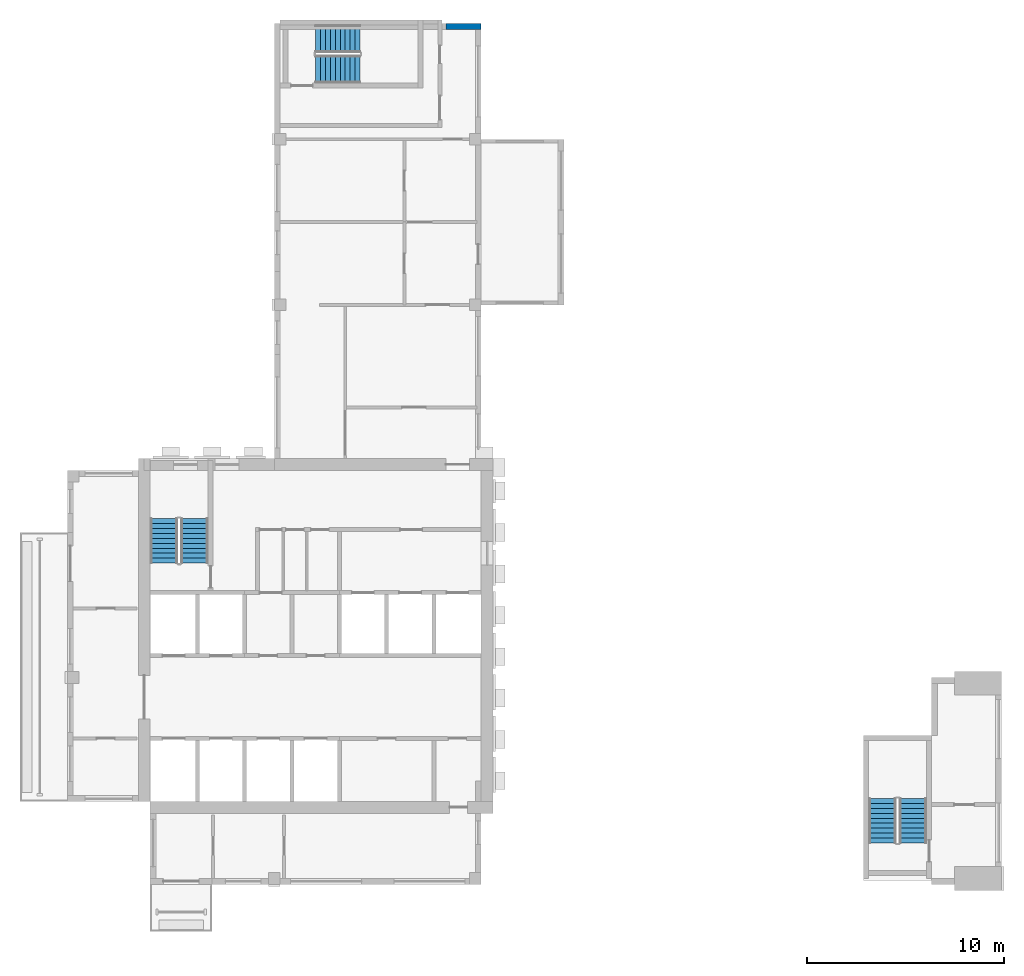
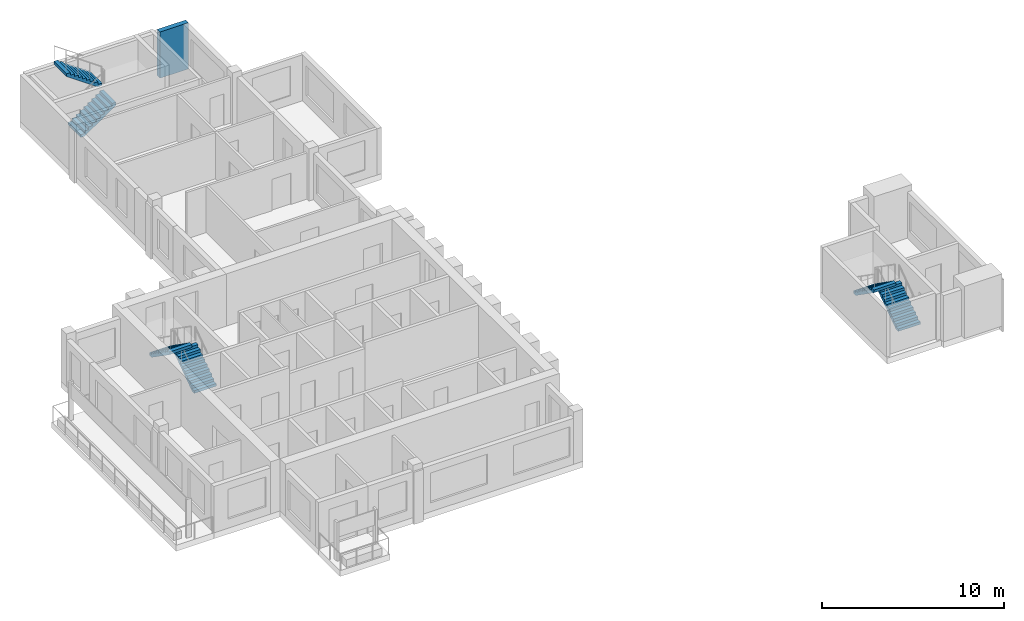
# One storey, part 5 of 9: 6 stair flights, 1 wall, 3 elements without a shape of their own.
"""IFC4 building model written with IfcOpenShell, lengths in metres."""

from ifc_helpers import new_model, si_unit, direction, frame, frame_2d, origin, place, context, subcontext, project, spatial, polyline, rectangle, outline, extrude, source, transform, mapped, material, layer, layer_set, type_object, element, aggregate, save


model = new_model("IFC4")

# Units and contexts
model_context = context("Model", 3, precision=1e-05, world=origin(), true_north=direction((0.0, 1.0)))
body_context = subcontext(model_context, "Body", "Model", "MODEL_VIEW")
ifc_project = project(units=[si_unit("LENGTHUNIT", "METRE"), si_unit("AREAUNIT", "SQUARE_METRE"), si_unit("VOLUMEUNIT", "CUBIC_METRE"), si_unit("PLANEANGLEUNIT", "RADIAN"), si_unit("MASSUNIT", "GRAM", prefix="KILO")], contexts=[model_context])

# Site, building, storey
site_placement = place(None, origin())
site = spatial("IfcSite", under=ifc_project, at=site_placement, CompositionType="ELEMENT")
building_placement = place(site_placement, origin())
building = spatial("IfcBuilding", under=site, at=building_placement, Name="Aurelian Terraces", CompositionType="ELEMENT")
storey_placement = place(building_placement, frame((0.0, 0.0, 340.5)))
storey = spatial("IfcBuildingStorey", under=building, at=storey_placement, Name="L80", CompositionType="ELEMENT", Elevation=340.5)

# Wall
ifc_material_1 = material(Name="Terracotta rainscreen cladding", Category="masonry")
ifc_layer = layer(ifc_material_1, 0.3)
ifc_layer_set = layer_set([ifc_layer], Name="EW-300")
wall_type = type_object("IfcWallType", Name="EW-300", PredefinedType="STANDARD", material=ifc_layer_set)
shared_shape_1 = source(origin(), body_context, "Body", "SweptSolid", [
    extrude(rectangle(XDim=1.8, YDim=0.3, at=frame_2d((0.9, 0.0))), origin(), (0.0, 0.0, 1.0), 3.1),
])
wall_placement = place(storey_placement, frame((21.0, 43.53, 0.0), z_axis=(0.0, 0.0, 1.0), x_axis=(-1.0, 0.0, 0.0)))
element("IfcWall", 1, at=wall_placement, inside=storey, type_object=wall_type, Name="External wall L80 F03.10", PredefinedType="STANDARD", context=body_context, shape_type="MappedRepresentation", body=[
    mapped(shared_shape_1, transform((0.0, 0.0, 0.0), scale=1.0)),
])

# Stair, stair flights
ifc_material_2 = material(Name="Concrete fc' 40 MPa", Category="concrete")
stair_type = type_object("IfcStairType", Name="Stair 1400", PredefinedType="HALF_TURN_STAIR", material=ifc_material_2)
stair_1_placement = place(storey_placement, origin())
stair_1 = element("IfcStair", 2, at=stair_1_placement, inside=storey, type_object=stair_type, Name="L80 S1", PredefinedType="HALF_TURN_STAIR")
stair_flight_type = type_object("IfcStairFlightType", Name="Stair flight 1400", PredefinedType="STRAIGHT", material=ifc_material_2)
shared_shape_2 = source(origin(), body_context, "Body", "SweptSolid", [
    extrude(outline(polyline([(0.0, 0.0), (0.0, 0.175), (0.25, 0.175), (0.25, 0.35), (0.5, 0.35), (0.5, 0.525), (0.75, 0.525), (0.75, 0.7), (1.0, 0.7), (1.0, 0.875), (1.25, 0.875), (1.25, 1.05), (1.5, 1.05), (1.5, 1.225), (1.75, 1.225), (1.75, 1.4), (2.0, 1.4), (2.0, 1.575), (2.25, 1.575), (2.25, 1.75), (2.25, 1.3919), (0.2616, 0.0), (0.0, 0.0)])), frame((0.0, 0.7, 0.0), z_axis=(0.0, -1.0, 0.0), x_axis=(1.0, 0.0, 0.0)), (0.0, 0.0, 1.0), 1.4),
])
stair_flight_1_placement = place(storey_placement, frame((6.45, 16.3, 2e-08), z_axis=(0.0, 0.0, 1.0), x_axis=(0.0, 1.0, 0.0)))
stair_flight_1 = element("IfcStairFlight", 3, at=stair_flight_1_placement, type_object=stair_flight_type, Name="S1 flight 1", NumberOfRisers=10, NumberOfTreads=9, PredefinedType="STRAIGHT", RiserHeight=0.175, TreadLength=0.25, context=body_context, shape_type="MappedRepresentation", body=[
    mapped(shared_shape_2, transform((0.0, 0.0, 0.0), scale=1.0)),
])
stair_flight_2_placement = place(storey_placement, frame((4.9, 18.55, 1.75000002), z_axis=(0.0, 0.0, 1.0), x_axis=(0.0, -1.0, 0.0)))
stair_flight_2 = element("IfcStairFlight", 4, at=stair_flight_2_placement, type_object=stair_flight_type, Name="S1 flight 2", NumberOfRisers=10, NumberOfTreads=9, PredefinedType="STRAIGHT", RiserHeight=0.175, TreadLength=0.25, context=body_context, shape_type="MappedRepresentation", body=[
    mapped(shared_shape_2, transform((0.0, 0.0, 0.0), scale=1.0)),
])
aggregate(stair_1, [stair_flight_1, stair_flight_2])

stair_2_placement = place(storey_placement, origin())
stair_2 = element("IfcStair", 5, at=stair_2_placement, inside=storey, type_object=stair_type, Name="L80 S2", PredefinedType="HALF_TURN_STAIR")
stair_flight_3_placement = place(storey_placement, frame((42.9, 2.1, 2e-08), z_axis=(0.0, 0.0, 1.0), x_axis=(0.0, 1.0, 0.0)))
stair_flight_3 = element("IfcStairFlight", 6, at=stair_flight_3_placement, type_object=stair_flight_type, Name="S2 flight 1", NumberOfRisers=10, NumberOfTreads=9, PredefinedType="STRAIGHT", RiserHeight=0.175, TreadLength=0.25, context=body_context, shape_type="MappedRepresentation", body=[
    mapped(shared_shape_2, transform((0.0, 0.0, 0.0), scale=1.0)),
])
stair_flight_4_placement = place(storey_placement, frame((41.35, 4.35, 1.75000002), z_axis=(0.0, 0.0, 1.0), x_axis=(0.0, -1.0, 0.0)))
stair_flight_4 = element("IfcStairFlight", 7, at=stair_flight_4_placement, type_object=stair_flight_type, Name="S2 flight 2", NumberOfRisers=10, NumberOfTreads=9, PredefinedType="STRAIGHT", RiserHeight=0.175, TreadLength=0.25, context=body_context, shape_type="MappedRepresentation", body=[
    mapped(shared_shape_2, transform((0.0, 0.0, 0.0), scale=1.0)),
])
aggregate(stair_2, [stair_flight_3, stair_flight_4])

stair_3_placement = place(storey_placement, origin())
stair_3 = element("IfcStair", 8, at=stair_3_placement, inside=storey, type_object=stair_type, Name="L80 S3U", PredefinedType="HALF_TURN_STAIR")
stair_flight_5_placement = place(storey_placement, frame((12.6, 41.35, 2e-08), z_axis=(0.0, 0.0, 1.0), x_axis=(1.0, 0.0, 0.0)))
stair_flight_5 = element("IfcStairFlight", 9, at=stair_flight_5_placement, type_object=stair_flight_type, Name="S3U flight 1", NumberOfRisers=10, NumberOfTreads=9, PredefinedType="STRAIGHT", RiserHeight=0.175, TreadLength=0.25, context=body_context, shape_type="MappedRepresentation", body=[
    mapped(shared_shape_2, transform((0.0, 0.0, 0.0), scale=1.0)),
])
stair_flight_6_placement = place(storey_placement, frame((14.85, 42.9, 1.75000002), z_axis=(0.0, 0.0, 1.0), x_axis=(-1.0, 0.0, 0.0)))
stair_flight_6 = element("IfcStairFlight", 10, at=stair_flight_6_placement, type_object=stair_flight_type, Name="S3U flight 2", NumberOfRisers=10, NumberOfTreads=9, PredefinedType="STRAIGHT", RiserHeight=0.175, TreadLength=0.25, context=body_context, shape_type="MappedRepresentation", body=[
    mapped(shared_shape_2, transform((0.0, 0.0, 0.0), scale=1.0)),
])
aggregate(stair_3, [stair_flight_5, stair_flight_6])

save(model, "model.ifc")
